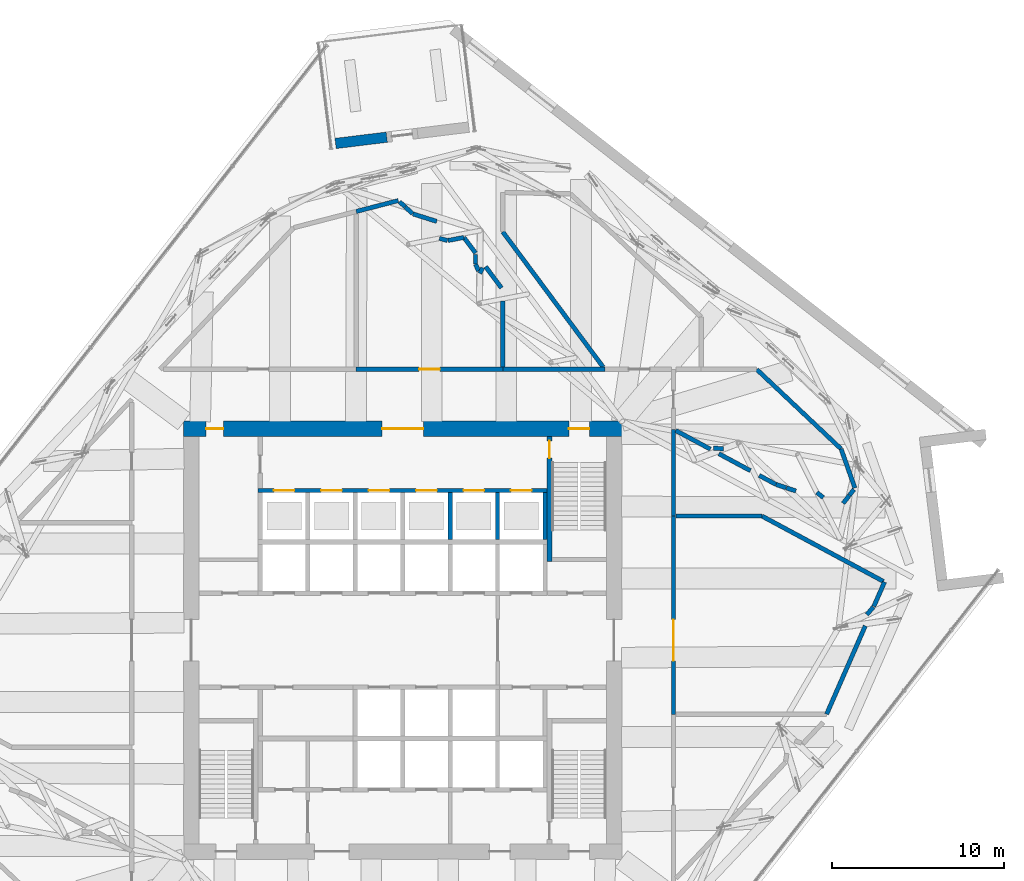
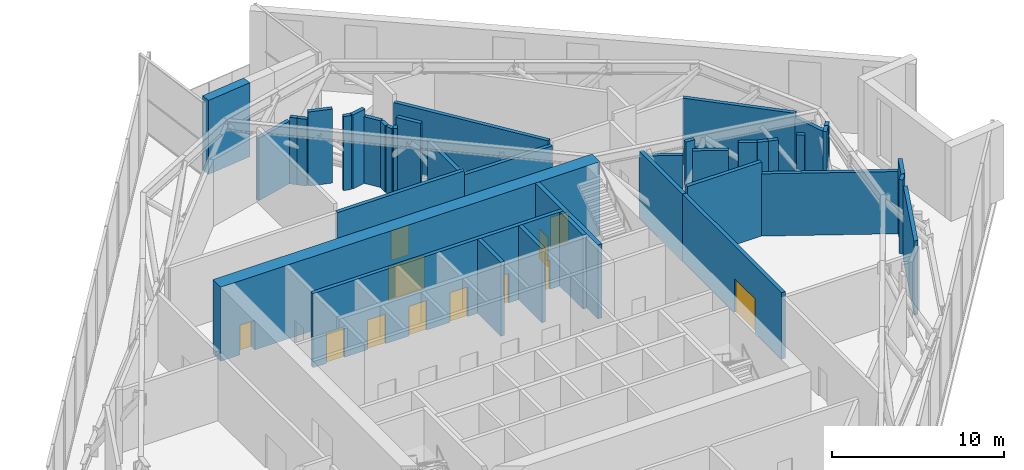
# One storey, part 15 of 23: 40 walls, 12 doors, 12 openings.
"""IFC4 building model written with IfcOpenShell, lengths in metres."""

from ifc_helpers import new_model, si_unit, direction, frame, frame_2d, origin, place, context, subcontext, project, spatial, rectangle, extrude, material, layer, layer_set, type_object, element, fill, save


model = new_model("IFC4")

# Units and contexts
model_context = context("Model", 3, precision=1e-05, world=origin(), true_north=direction((0.0, 1.0)))
body_context = subcontext(model_context, "Body", "Model", "MODEL_VIEW")
ifc_project = project(units=[si_unit("LENGTHUNIT", "METRE"), si_unit("AREAUNIT", "SQUARE_METRE"), si_unit("VOLUMEUNIT", "CUBIC_METRE"), si_unit("PLANEANGLEUNIT", "RADIAN"), si_unit("MASSUNIT", "GRAM", prefix="KILO")], contexts=[model_context])

# Site, building, storey
site_placement = place(None, origin())
site = spatial("IfcSite", under=ifc_project, at=site_placement, CompositionType="ELEMENT")
building_placement = place(site_placement, origin())
building = spatial("IfcBuilding", under=site, at=building_placement, Name="Dilmun Exchange Tower", CompositionType="ELEMENT")
storey_placement = place(building_placement, frame((0.0, 0.0, 237.300048828125)))
storey = spatial("IfcBuildingStorey", under=building, at=storey_placement, Name="L56", CompositionType="ELEMENT", Elevation=237.300048828125)

# Wall, openings, doors
ifc_material_1 = material(Name="Concrete C60/75", Category="concrete")
ifc_layer_1 = layer(ifc_material_1, 0.89990234375)
ifc_layer_set_1 = layer_set([ifc_layer_1], Name="Concrete C60/75")
wall_type_1 = type_object("IfcWallType", Name="Core shear wall 900 Concrete C60/75", PredefinedType="SHEAR", material=ifc_layer_set_1)
wall_1_placement = place(storey_placement, frame((-12.699951171875, 12.25, 0.0), z_axis=(0.0, 0.0, 1.0), x_axis=(1.0, 0.0, 0.0)))
wall_1 = element("IfcWall", 1, at=wall_1_placement, inside=storey, type_object=wall_type_1, Name="L56 core shear wall N", PredefinedType="SHEAR", context=body_context, shape_type="SweptSolid", body=[
    extrude(rectangle(XDim=25.39990234375, YDim=0.89990234375, at=frame_2d((12.699951171875, 0.0))), origin(), (0.0, 0.0, 1.0), 5.239990234375),
])
opening_1_placement = place(wall_1_placement, frame((11.5, 0.0, 0.0)))
opening_1 = element("IfcOpeningElement", 2, at=opening_1_placement, cuts=wall_1, Name="Opening CD1", PredefinedType="OPENING", context=body_context, shape_type="SweptSolid", body=[
    extrude(rectangle(XDim=2.39990234375, YDim=2.39990234375, at=frame_2d((1.199951171875, 1.199951171875))), frame((0.0, 0.4599609375, 0.0), z_axis=(0.0, -1.0, 0.0), x_axis=(1.0, 0.0, 0.0)), (0.0, 0.0, 1.0), 0.919921875),
])
opening_2_placement = place(wall_1_placement, frame((22.324951171875, 0.0, 0.0)))
opening_2 = element("IfcOpeningElement", 3, at=opening_2_placement, cuts=wall_1, Name="Opening CD3", PredefinedType="OPENING", context=body_context, shape_type="SweptSolid", body=[
    extrude(rectangle(XDim=1.199951171875, YDim=2.10009765625, at=frame_2d((0.60009765625, 1.050048828125))), frame((0.0, 0.4599609375, 0.0), z_axis=(0.0, -1.0, 0.0), x_axis=(1.0, 0.0, 0.0)), (0.0, 0.0, 1.0), 0.919921875),
])
opening_3_placement = place(wall_1_placement, frame((1.300048828125, 0.0, 0.0)))
opening_3 = element("IfcOpeningElement", 4, at=opening_3_placement, cuts=wall_1, Name="Opening CD4", PredefinedType="OPENING", context=body_context, shape_type="SweptSolid", body=[
    extrude(rectangle(XDim=1.0, YDim=2.10009765625, at=frame_2d((0.5, 1.050048828125))), frame((0.0, 0.4599609375, 0.0), z_axis=(0.0, -1.0, 0.0), x_axis=(1.0, 0.0, 0.0)), (0.0, 0.0, 1.0), 0.919921875),
])
ifc_material_2 = material(Name="Fire-rated steel door set", Category="steel")
door_type_1 = type_object("IfcDoorType", Name="Core lobby door 2400x2400", OperationType="DOUBLE_DOOR_DOUBLE_SWING", PredefinedType="DOOR", material=ifc_material_2)
door_1_placement = place(opening_1_placement, origin())
door_1 = element("IfcDoor", 5, at=door_1_placement, inside=storey, type_object=door_type_1, Name="L56 door North lift lobby", OperationType="SINGLE_SWING_LEFT", OverallHeight=2.39990234375, OverallWidth=2.39990234375, PredefinedType="DOOR", context=body_context, shape_type="SweptSolid", body=[
    extrude(rectangle(XDim=2.39990234375, YDim=2.39990234375, at=frame_2d((1.199951171875, 1.199951171875))), frame((0.0, 0.02490234375, 0.0), z_axis=(0.0, -1.0, 0.0), x_axis=(1.0, 0.0, 0.0)), (0.0, 0.0, 1.0), 0.050048828125),
])
fill(opening_1, door_1)
door_type_2 = type_object("IfcDoorType", Name="Core room door 1000x2100", OperationType="SINGLE_SWING_LEFT", PredefinedType="DOOR", material=ifc_material_2)
door_2_placement = place(opening_3_placement, origin())
door_2 = element("IfcDoor", 6, at=door_2_placement, inside=storey, type_object=door_type_2, Name="L56 door North-west core rooms", OperationType="SINGLE_SWING_LEFT", OverallHeight=2.10009765625, OverallWidth=1.0, PredefinedType="DOOR", context=body_context, shape_type="SweptSolid", body=[
    extrude(rectangle(XDim=1.0, YDim=2.10009765625, at=frame_2d((0.5, 1.050048828125))), frame((0.0, 0.02490234375, 0.0), z_axis=(0.0, -1.0, 0.0), x_axis=(1.0, 0.0, 0.0)), (0.0, 0.0, 1.0), 0.050048828125),
])
fill(opening_3, door_2)
door_type_3 = type_object("IfcDoorType", Name="Stair exit door 1200x2100", OperationType="SINGLE_SWING_LEFT", PredefinedType="DOOR", material=ifc_material_2)
door_3_placement = place(opening_2_placement, origin())
door_3 = element("IfcDoor", 7, at=door_3_placement, inside=storey, type_object=door_type_3, Name="L56 door Stair ST1", OperationType="SINGLE_SWING_LEFT", OverallHeight=2.10009765625, OverallWidth=1.199951171875, PredefinedType="DOOR", context=body_context, shape_type="SweptSolid", body=[
    extrude(rectangle(XDim=1.199951171875, YDim=2.10009765625, at=frame_2d((0.60009765625, 1.050048828125))), frame((0.0, 0.02490234375, 0.0), z_axis=(0.0, -1.0, 0.0), x_axis=(1.0, 0.0, 0.0)), (0.0, 0.0, 1.0), 0.050048828125),
])
fill(opening_2, door_3)

ifc_material_3 = material(Name="Concrete C40/50", Category="concrete")
ifc_layer_2 = layer(ifc_material_3, 0.25)
ifc_layer_set_2 = layer_set([ifc_layer_2], Name="Concrete C40/50")
wall_type_2 = type_object("IfcWallType", Name="Lift shaft wall 250", PredefinedType="SOLIDWALL", material=ifc_layer_set_2)
wall_2_placement = place(storey_placement, frame((-8.375, 8.675048828125, 0.0), z_axis=(0.0, 0.0, 1.0), x_axis=(1.0, 0.0, 0.0)))
wall_2 = element("IfcWall", 8, at=wall_2_placement, inside=storey, type_object=wall_type_2, Name="L56 lift shaft front wall N2", PredefinedType="SOLIDWALL", context=body_context, shape_type="SweptSolid", body=[
    extrude(rectangle(XDim=16.75, YDim=0.25, at=frame_2d((8.375, 0.0))), origin(), (0.0, 0.0, 1.0), 5.239990234375),
])
opening_4_placement = place(wall_2_placement, frame((0.89990234375, 0.0, 0.0)))
opening_4 = element("IfcOpeningElement", 9, at=opening_4_placement, cuts=wall_2, Name="Opening LD", PredefinedType="OPENING", context=body_context, shape_type="SweptSolid", body=[
    extrude(rectangle(XDim=1.199951171875, YDim=2.10009765625, at=frame_2d((0.60009765625, 1.050048828125))), frame((0.0, 0.135009765625, 0.0), z_axis=(0.0, -1.0, 0.0), x_axis=(1.0, 0.0, 0.0)), (0.0, 0.0, 1.0), 0.27001953125),
])
opening_5_placement = place(wall_2_placement, frame((3.64990234375, 0.0, 0.0)))
opening_5 = element("IfcOpeningElement", 10, at=opening_5_placement, cuts=wall_2, Name="Opening LD", PredefinedType="OPENING", context=body_context, shape_type="SweptSolid", body=[
    extrude(rectangle(XDim=1.199951171875, YDim=2.10009765625, at=frame_2d((0.60009765625, 1.050048828125))), frame((0.0, 0.135009765625, 0.0), z_axis=(0.0, -1.0, 0.0), x_axis=(1.0, 0.0, 0.0)), (0.0, 0.0, 1.0), 0.27001953125),
])
opening_6_placement = place(wall_2_placement, frame((6.39990234375, 0.0, 0.0)))
opening_6 = element("IfcOpeningElement", 11, at=opening_6_placement, cuts=wall_2, Name="Opening LD", PredefinedType="OPENING", context=body_context, shape_type="SweptSolid", body=[
    extrude(rectangle(XDim=1.199951171875, YDim=2.10009765625, at=frame_2d((0.60009765625, 1.050048828125))), frame((0.0, 0.135009765625, 0.0), z_axis=(0.0, -1.0, 0.0), x_axis=(1.0, 0.0, 0.0)), (0.0, 0.0, 1.0), 0.27001953125),
])
opening_7_placement = place(wall_2_placement, frame((9.14990234375, 0.0, 0.0)))
opening_7 = element("IfcOpeningElement", 12, at=opening_7_placement, cuts=wall_2, Name="Opening LD", PredefinedType="OPENING", context=body_context, shape_type="SweptSolid", body=[
    extrude(rectangle(XDim=1.199951171875, YDim=2.10009765625, at=frame_2d((0.60009765625, 1.050048828125))), frame((0.0, 0.135009765625, 0.0), z_axis=(0.0, -1.0, 0.0), x_axis=(1.0, 0.0, 0.0)), (0.0, 0.0, 1.0), 0.27001953125),
])
opening_8_placement = place(wall_2_placement, frame((11.89990234375, 0.0, 0.0)))
opening_8 = element("IfcOpeningElement", 13, at=opening_8_placement, cuts=wall_2, Name="Opening LD", PredefinedType="OPENING", context=body_context, shape_type="SweptSolid", body=[
    extrude(rectangle(XDim=1.199951171875, YDim=2.10009765625, at=frame_2d((0.60009765625, 1.050048828125))), frame((0.0, 0.135009765625, 0.0), z_axis=(0.0, -1.0, 0.0), x_axis=(1.0, 0.0, 0.0)), (0.0, 0.0, 1.0), 0.27001953125),
])
opening_9_placement = place(wall_2_placement, frame((14.64990234375, 0.0, 0.0)))
opening_9 = element("IfcOpeningElement", 14, at=opening_9_placement, cuts=wall_2, Name="Opening LD", PredefinedType="OPENING", context=body_context, shape_type="SweptSolid", body=[
    extrude(rectangle(XDim=1.199951171875, YDim=2.10009765625, at=frame_2d((0.60009765625, 1.050048828125))), frame((0.0, 0.135009765625, 0.0), z_axis=(0.0, -1.0, 0.0), x_axis=(1.0, 0.0, 0.0)), (0.0, 0.0, 1.0), 0.27001953125),
])
door_type_4 = type_object("IfcDoorType", Name="Lift landing door 1200x2100", OperationType="DOUBLE_DOOR_SLIDING", PredefinedType="DOOR", material=ifc_material_2)
door_4_placement = place(opening_4_placement, origin())
door_4 = element("IfcDoor", 15, at=door_4_placement, inside=storey, type_object=door_type_4, Name="L56 landing door HR1", OperationType="DOUBLE_DOOR_SLIDING", OverallHeight=2.10009765625, OverallWidth=1.199951171875, PredefinedType="DOOR", context=body_context, shape_type="SweptSolid", body=[
    extrude(rectangle(XDim=1.199951171875, YDim=2.10009765625, at=frame_2d((0.60009765625, 1.050048828125))), frame((0.0, 0.02490234375, 0.0), z_axis=(0.0, -1.0, 0.0), x_axis=(1.0, 0.0, 0.0)), (0.0, 0.0, 1.0), 0.050048828125),
])
fill(opening_4, door_4)
door_5_placement = place(opening_5_placement, origin())
door_5 = element("IfcDoor", 16, at=door_5_placement, inside=storey, type_object=door_type_4, Name="L56 landing door HR2", OperationType="DOUBLE_DOOR_SLIDING", OverallHeight=2.10009765625, OverallWidth=1.199951171875, PredefinedType="DOOR", context=body_context, shape_type="SweptSolid", body=[
    extrude(rectangle(XDim=1.199951171875, YDim=2.10009765625, at=frame_2d((0.60009765625, 1.050048828125))), frame((0.0, 0.02490234375, 0.0), z_axis=(0.0, -1.0, 0.0), x_axis=(1.0, 0.0, 0.0)), (0.0, 0.0, 1.0), 0.050048828125),
])
fill(opening_5, door_5)
door_6_placement = place(opening_6_placement, origin())
door_6 = element("IfcDoor", 17, at=door_6_placement, inside=storey, type_object=door_type_4, Name="L56 landing door HR3", OperationType="DOUBLE_DOOR_SLIDING", OverallHeight=2.10009765625, OverallWidth=1.199951171875, PredefinedType="DOOR", context=body_context, shape_type="SweptSolid", body=[
    extrude(rectangle(XDim=1.199951171875, YDim=2.10009765625, at=frame_2d((0.60009765625, 1.050048828125))), frame((0.0, 0.02490234375, 0.0), z_axis=(0.0, -1.0, 0.0), x_axis=(1.0, 0.0, 0.0)), (0.0, 0.0, 1.0), 0.050048828125),
])
fill(opening_6, door_6)
door_7_placement = place(opening_7_placement, origin())
door_7 = element("IfcDoor", 18, at=door_7_placement, inside=storey, type_object=door_type_4, Name="L56 landing door HR4", OperationType="DOUBLE_DOOR_SLIDING", OverallHeight=2.10009765625, OverallWidth=1.199951171875, PredefinedType="DOOR", context=body_context, shape_type="SweptSolid", body=[
    extrude(rectangle(XDim=1.199951171875, YDim=2.10009765625, at=frame_2d((0.60009765625, 1.050048828125))), frame((0.0, 0.02490234375, 0.0), z_axis=(0.0, -1.0, 0.0), x_axis=(1.0, 0.0, 0.0)), (0.0, 0.0, 1.0), 0.050048828125),
])
fill(opening_7, door_7)
door_8_placement = place(opening_8_placement, origin())
door_8 = element("IfcDoor", 19, at=door_8_placement, inside=storey, type_object=door_type_4, Name="L56 landing door HR5", OperationType="DOUBLE_DOOR_SLIDING", OverallHeight=2.10009765625, OverallWidth=1.199951171875, PredefinedType="DOOR", context=body_context, shape_type="SweptSolid", body=[
    extrude(rectangle(XDim=1.199951171875, YDim=2.10009765625, at=frame_2d((0.60009765625, 1.050048828125))), frame((0.0, 0.02490234375, 0.0), z_axis=(0.0, -1.0, 0.0), x_axis=(1.0, 0.0, 0.0)), (0.0, 0.0, 1.0), 0.050048828125),
])
fill(opening_8, door_8)
door_9_placement = place(opening_9_placement, origin())
door_9 = element("IfcDoor", 20, at=door_9_placement, inside=storey, type_object=door_type_4, Name="L56 landing door HR6", OperationType="DOUBLE_DOOR_SLIDING", OverallHeight=2.10009765625, OverallWidth=1.199951171875, PredefinedType="DOOR", context=body_context, shape_type="SweptSolid", body=[
    extrude(rectangle(XDim=1.199951171875, YDim=2.10009765625, at=frame_2d((0.60009765625, 1.050048828125))), frame((0.0, 0.02490234375, 0.0), z_axis=(0.0, -1.0, 0.0), x_axis=(1.0, 0.0, 0.0)), (0.0, 0.0, 1.0), 0.050048828125),
])
fill(opening_9, door_9)

# Walls
for number, where, z_axis, x_axis, name in (
    (21, (2.75, 5.85009765625, 0.0), (0.0, 0.0, 1.0), (0.0, 1.0, 0.0), "L56 lift shaft divider N24"),
    (22, (5.5, 5.85009765625, 0.0), (0.0, 0.0, 1.0), (0.0, 1.0, 0.0), "L56 lift shaft divider N25"),
    (23, (8.25, 5.85009765625, 0.0), (0.0, 0.0, 1.0), (0.0, 1.0, 0.0), "L56 lift shaft divider N26"),
):
    element("IfcWall", number, at=place(storey_placement, frame(where, z_axis=z_axis, x_axis=x_axis)), inside=storey, type_object=wall_type_2, Name=name, PredefinedType="SOLIDWALL", context=body_context, shape_type="SweptSolid", body=[
        extrude(rectangle(XDim=2.699951171875, YDim=0.25, at=frame_2d((1.35009765625, 0.0))), origin(), (0.0, 0.0, 1.0), 5.239990234375),
    ])

# Wall, opening, door
ifc_material_4 = material(Name="Concrete C32/40", Category="concrete")
ifc_layer_3 = layer(ifc_material_4, 0.25)
ifc_layer_set_3 = layer_set([ifc_layer_3], Name="Concrete C32/40")
wall_type_3 = type_object("IfcWallType", Name="Plant room wall 250", PredefinedType="PARTITIONING", material=ifc_layer_set_3)
wall_3_placement = place(storey_placement, frame((15.699951171875, -4.294921875, 0.0), z_axis=(0.0, 0.0, 1.0), x_axis=(0.0, 1.0, 0.0)))
wall_3 = element("IfcWall", 24, at=wall_3_placement, inside=storey, type_object=wall_type_3, Name="L56 plant room wall 46", PredefinedType="PARTITIONING", context=body_context, shape_type="SweptSolid", body=[
    extrude(rectangle(XDim=11.494873046875, YDim=0.25, at=frame_2d((5.74755859375, 0.0))), origin(), (0.0, 0.0, 1.0), 4.719970703125),
])
opening_10_placement = place(wall_3_placement, frame((3.094970703125, 0.0, 0.0)))
opening_10 = element("IfcOpeningElement", 25, at=opening_10_placement, cuts=wall_3, Name="Opening PD4", PredefinedType="OPENING", context=body_context, shape_type="SweptSolid", body=[
    extrude(rectangle(XDim=2.39990234375, YDim=2.39990234375, at=frame_2d((1.199951171875, 1.199951171875))), frame((0.0, 0.135009765625, 0.0), z_axis=(0.0, -1.0, 0.0), x_axis=(1.0, 0.0, 0.0)), (0.0, 0.0, 1.0), 0.27001953125),
])
door_type_5 = type_object("IfcDoorType", Name="Sky lobby door 2400x2400", OperationType="DOUBLE_DOOR_DOUBLE_SWING", PredefinedType="DOOR", material=ifc_material_2)
door_10_placement = place(opening_10_placement, origin())
door_10 = element("IfcDoor", 26, at=door_10_placement, inside=storey, type_object=door_type_5, Name="L56 door Sky lobby", OperationType="SINGLE_SWING_LEFT", OverallHeight=2.39990234375, OverallWidth=2.39990234375, PredefinedType="DOOR", context=body_context, shape_type="SweptSolid", body=[
    extrude(rectangle(XDim=2.39990234375, YDim=2.39990234375, at=frame_2d((1.199951171875, 1.199951171875))), frame((0.0, 0.02490234375, 0.0), z_axis=(0.0, -1.0, 0.0), x_axis=(1.0, 0.0, 0.0)), (0.0, 0.0, 1.0), 0.050048828125),
])
fill(opening_10, door_10)

# Walls
wall_4_placement = place(storey_placement, frame((24.57373046875, -4.28857421875, 0.0), z_axis=(0.0, 0.0, 1.0), x_axis=(0.401222280586, 0.915980721173, 0.0)))
element("IfcWall", 27, at=wall_4_placement, inside=storey, type_object=wall_type_3, Name="L56 plant room wall 51", PredefinedType="PARTITIONING", context=body_context, shape_type="SweptSolid", body=[
    extrude(rectangle(XDim=5.586669921875, YDim=0.25, at=frame_2d((2.79345703125, 0.0))), origin(), (0.0, 0.0, 1.0), 5.239990234375),
])
wall_5_placement = place(storey_placement, frame((26.906982421875, 1.48193359375, 0.0), z_axis=(0.0, 0.0, 1.0), x_axis=(0.647014435149, 0.76247775096, 0.0)))
element("IfcWall", 28, at=wall_5_placement, inside=storey, type_object=wall_type_3, Name="L56 plant room wall 52", PredefinedType="PARTITIONING", context=body_context, shape_type="SweptSolid", body=[
    extrude(rectangle(XDim=0.58154296875, YDim=0.25, at=frame_2d((0.290771484375, 0.0))), origin(), (0.0, 0.0, 1.0), 5.239990234375),
])
wall_6_placement = place(storey_placement, frame((27.30908203125, 1.95556640625, 0.0), z_axis=(0.0, 0.0, 1.0), x_axis=(0.401091430505, 0.916038025617, 0.0)))
element("IfcWall", 29, at=wall_6_placement, inside=storey, type_object=wall_type_3, Name="L56 plant room wall 53", PredefinedType="PARTITIONING", context=body_context, shape_type="SweptSolid", body=[
    extrude(rectangle(XDim=1.55029296875, YDim=0.25, at=frame_2d((0.775146484375, 0.0))), origin(), (0.0, 0.0, 1.0), 5.239990234375),
])
wall_7_placement = place(storey_placement, frame((15.699951171875, 7.205078125, 0.0), z_axis=(0.0, 0.0, 1.0), x_axis=(0.0, 1.0, 0.0)))
element("IfcWall", 30, at=wall_7_placement, inside=storey, type_object=wall_type_3, Name="L56 plant room wall 59", PredefinedType="PARTITIONING", context=body_context, shape_type="SweptSolid", body=[
    extrude(rectangle(XDim=5.017333984375, YDim=0.25, at=frame_2d((2.5087890625, 0.0))), origin(), (0.0, 0.0, 1.0), 4.719970703125),
])
wall_8_placement = place(storey_placement, frame((15.830078125, 7.199951171875, 0.0), z_axis=(0.0, 0.0, 1.0), x_axis=(1.0, 0.0, 0.0)))
element("IfcWall", 31, at=wall_8_placement, inside=storey, type_object=wall_type_3, Name="L56 plant room wall 60", PredefinedType="PARTITIONING", context=body_context, shape_type="SweptSolid", body=[
    extrude(rectangle(XDim=4.988037109375, YDim=0.25, at=frame_2d((2.494140625, 0.0))), origin(), (0.0, 0.0, 1.0), 5.239990234375),
])
wall_9_placement = place(storey_placement, frame((20.822998046875, 7.197265625, 0.0), z_axis=(0.0, 0.0, 1.0), x_axis=(0.880765589634, -0.473552506188, 0.0)))
element("IfcWall", 32, at=wall_9_placement, inside=storey, type_object=wall_type_3, Name="L56 plant room wall 61", PredefinedType="PARTITIONING", context=body_context, shape_type="SweptSolid", body=[
    extrude(rectangle(XDim=8.008056640625, YDim=0.25, at=frame_2d((4.00390625, 0.0))), origin(), (0.0, 0.0, 1.0), 4.406005859375),
])
wall_10_placement = place(storey_placement, frame((24.006103515625, 8.566650390625, 0.0), z_axis=(0.0, 0.0, 1.0), x_axis=(0.783912744573, -0.620871008258, 0.0)))
element("IfcWall", 33, at=wall_10_placement, inside=storey, type_object=wall_type_3, Name="L56 plant room wall 62", PredefinedType="PARTITIONING", context=body_context, shape_type="SweptSolid", body=[
    extrude(rectangle(XDim=0.483642578125, YDim=0.25, at=frame_2d((0.24169921875, 0.0))), origin(), (0.0, 0.0, 1.0), 5.239990234375),
])
wall_11_placement = place(storey_placement, frame((25.533203125, 7.933349609375, 0.0), z_axis=(0.0, 0.0, 1.0), x_axis=(0.612689720082, 0.790323545712, 0.0)))
element("IfcWall", 34, at=wall_11_placement, inside=storey, type_object=wall_type_3, Name="L56 plant room wall 63", PredefinedType="PARTITIONING", context=body_context, shape_type="SweptSolid", body=[
    extrude(rectangle(XDim=0.581298828125, YDim=0.25, at=frame_2d((0.29052734375, 0.0))), origin(), (0.0, 0.0, 1.0), 5.239990234375),
])
wall_12_placement = place(storey_placement, frame((22.2421875, 8.83056640625, 0.0), z_axis=(0.0, 0.0, 1.0), x_axis=(0.949269442188, -0.314463870942, 0.0)))
element("IfcWall", 35, at=wall_12_placement, inside=storey, type_object=wall_type_3, Name="L56 plant room wall 64", PredefinedType="PARTITIONING", context=body_context, shape_type="SweptSolid", body=[
    extrude(rectangle(XDim=0.58154296875, YDim=0.25, at=frame_2d((0.290771484375, 0.0))), origin(), (0.0, 0.0, 1.0), 5.239990234375),
])
wall_13_placement = place(storey_placement, frame((25.897705078125, 8.40380859375, 0.0), z_axis=(0.0, 0.0, 1.0), x_axis=(0.612734781525, 0.790288610262, 0.0)))
element("IfcWall", 36, at=wall_13_placement, inside=storey, type_object=wall_type_3, Name="L56 plant room wall 65", PredefinedType="PARTITIONING", context=body_context, shape_type="SweptSolid", body=[
    extrude(rectangle(XDim=0.420654296875, YDim=0.25, at=frame_2d((0.21044921875, 0.0))), origin(), (0.0, 0.0, 1.0), 5.239990234375),
])
wall_14_placement = place(storey_placement, frame((21.634033203125, 9.031982421875, 0.0), z_axis=(0.0, 0.0, 1.0), x_axis=(0.949265485475, -0.314475814786, 0.0)))
element("IfcWall", 37, at=wall_14_placement, inside=storey, type_object=wall_type_3, Name="L56 plant room wall 66", PredefinedType="PARTITIONING", context=body_context, shape_type="SweptSolid", body=[
    extrude(rectangle(XDim=0.627197265625, YDim=0.25, at=frame_2d((0.3134765625, 0.0))), origin(), (0.0, 0.0, 1.0), 5.239990234375),
])
wall_15_placement = place(storey_placement, frame((20.664794921875, 9.552978515625, 0.0), z_axis=(0.0, 0.0, 1.0), x_axis=(0.880842985879, -0.473408527836, 0.0)))
element("IfcWall", 38, at=wall_15_placement, inside=storey, type_object=wall_type_3, Name="L56 plant room wall 67", PredefinedType="PARTITIONING", context=body_context, shape_type="SweptSolid", body=[
    extrude(rectangle(XDim=1.095458984375, YDim=0.25, at=frame_2d((0.5478515625, 0.0))), origin(), (0.0, 0.0, 1.0), 5.239990234375),
])
wall_16_placement = place(storey_placement, frame((18.32958984375, 10.80859375, 0.0), z_axis=(0.0, 0.0, 1.0), x_axis=(0.880780830304, -0.473524158802, 0.0)))
element("IfcWall", 39, at=wall_16_placement, inside=storey, type_object=wall_type_3, Name="L56 plant room wall 68", PredefinedType="PARTITIONING", context=body_context, shape_type="SweptSolid", body=[
    extrude(rectangle(XDim=2.07421875, YDim=0.25, at=frame_2d((1.037109375, 0.0))), origin(), (0.0, 0.0, 1.0), 4.719970703125),
])
wall_17_placement = place(storey_placement, frame((15.830078125, 12.152587890625, 0.0), z_axis=(0.0, 0.0, 1.0), x_axis=(0.880763949792, -0.473555556135, 0.0)))
element("IfcWall", 40, at=wall_17_placement, inside=storey, type_object=wall_type_3, Name="L56 plant room wall 69", PredefinedType="PARTITIONING", context=body_context, shape_type="SweptSolid", body=[
    extrude(rectangle(XDim=2.274169921875, YDim=0.25, at=frame_2d((1.13720703125, 0.0))), origin(), (0.0, 0.0, 1.0), 4.419921875),
])
wall_18_placement = place(storey_placement, frame((25.412841796875, 11.08837890625, 0.0), z_axis=(0.0, 0.0, 1.0), x_axis=(0.333527224154, -0.942740468394, 0.0)))
element("IfcWall", 41, at=wall_18_placement, inside=storey, type_object=wall_type_3, Name="L56 plant room wall 70", PredefinedType="PARTITIONING", context=body_context, shape_type="SweptSolid", body=[
    extrude(rectangle(XDim=2.401611328125, YDim=0.25, at=frame_2d((1.20068359375, 0.0))), origin(), (0.0, 0.0, 1.0), 4.419921875),
])
wall_19_placement = place(storey_placement, frame((18.013427734375, 11.13720703125, 0.0), z_axis=(0.0, 0.0, 1.0), x_axis=(0.997234429152, -0.074320207983, 0.0)))
element("IfcWall", 42, at=wall_19_placement, inside=storey, type_object=wall_type_3, Name="L56 plant room wall 71", PredefinedType="PARTITIONING", context=body_context, shape_type="SweptSolid", body=[
    extrude(rectangle(XDim=0.58154296875, YDim=0.25, at=frame_2d((0.290771484375, 0.0))), origin(), (0.0, 0.0, 1.0), 5.239990234375),
])

# Wall, opening, door
wall_20_placement = place(storey_placement, frame((-2.695068359375, 15.699951171875, 0.0), z_axis=(0.0, 0.0, 1.0), x_axis=(1.0, 0.0, 0.0)))
wall_20 = element("IfcWall", 43, at=wall_20_placement, inside=storey, type_object=wall_type_3, Name="L56 plant room wall 76", PredefinedType="PARTITIONING", context=body_context, shape_type="SweptSolid", body=[
    extrude(rectangle(XDim=8.4951171875, YDim=0.25, at=frame_2d((4.24755859375, 0.0))), origin(), (0.0, 0.0, 1.0), 4.719970703125),
])
opening_11_placement = place(wall_20_placement, frame((3.64501953125, 0.0, 0.0)))
opening_11 = element("IfcOpeningElement", 44, at=opening_11_placement, cuts=wall_20, Name="Opening PD2", PredefinedType="OPENING", context=body_context, shape_type="SweptSolid", body=[
    extrude(rectangle(XDim=1.199951171875, YDim=2.10009765625, at=frame_2d((0.60009765625, 1.050048828125))), frame((0.0, 0.135009765625, 0.0), z_axis=(0.0, -1.0, 0.0), x_axis=(1.0, 0.0, 0.0)), (0.0, 0.0, 1.0), 0.27001953125),
])
door_type_6 = type_object("IfcDoorType", Name="Plant room door 1200x2100", OperationType="SINGLE_SWING_LEFT", PredefinedType="DOOR", material=ifc_material_2)
door_11_placement = place(opening_11_placement, origin())
door_11 = element("IfcDoor", 45, at=door_11_placement, inside=storey, type_object=door_type_6, Name="L56 door Transformer room", OperationType="SINGLE_SWING_LEFT", OverallHeight=2.10009765625, OverallWidth=1.199951171875, PredefinedType="DOOR", context=body_context, shape_type="SweptSolid", body=[
    extrude(rectangle(XDim=1.199951171875, YDim=2.10009765625, at=frame_2d((0.60009765625, 1.050048828125))), frame((0.0, 0.02490234375, 0.0), z_axis=(0.0, -1.0, 0.0), x_axis=(1.0, 0.0, 0.0)), (0.0, 0.0, 1.0), 0.050048828125),
])
fill(opening_11, door_11)

# Walls
wall_21_placement = place(storey_placement, frame((5.804931640625, 15.699951171875, 0.0), z_axis=(0.0, 0.0, 1.0), x_axis=(1.0, 0.0, 0.0)))
element("IfcWall", 46, at=wall_21_placement, inside=storey, type_object=wall_type_3, Name="L56 plant room wall 77", PredefinedType="PARTITIONING", context=body_context, shape_type="SweptSolid", body=[
    extrude(rectangle(XDim=5.91357421875, YDim=0.25, at=frame_2d((2.956787109375, 0.0))), origin(), (0.0, 0.0, 1.0), 4.419921875),
])
wall_22_placement = place(storey_placement, frame((5.800048828125, 23.672607421875, 0.0), z_axis=(0.0, 0.0, 1.0), x_axis=(0.5960533643, -0.802944821832, 0.0)))
element("IfcWall", 47, at=wall_22_placement, inside=storey, type_object=wall_type_3, Name="L56 plant room wall 78", PredefinedType="PARTITIONING", context=body_context, shape_type="SweptSolid", body=[
    extrude(rectangle(XDim=9.76708984375, YDim=0.25, at=frame_2d((4.883544921875, 0.0))), origin(), (0.0, 0.0, 1.0), 4.719970703125),
])
wall_23_placement = place(storey_placement, frame((20.525390625, 15.6953125, 0.0), z_axis=(0.0, 0.0, 1.0), x_axis=(0.727680712337, -0.685916015918, 0.0)))
element("IfcWall", 48, at=wall_23_placement, inside=storey, type_object=wall_type_3, Name="L56 plant room wall 82", PredefinedType="PARTITIONING", context=body_context, shape_type="SweptSolid", body=[
    extrude(rectangle(XDim=6.710693359375, YDim=0.25, at=frame_2d((3.35546875, 0.0))), origin(), (0.0, 0.0, 1.0), 4.719970703125),
])
wall_24_placement = place(storey_placement, frame((5.800048828125, 15.830078125, 0.0), z_axis=(0.0, 0.0, 1.0), x_axis=(0.0, 1.0, 0.0)))
element("IfcWall", 49, at=wall_24_placement, inside=storey, type_object=wall_type_3, Name="L56 plant room wall 84", PredefinedType="PARTITIONING", context=body_context, shape_type="SweptSolid", body=[
    extrude(rectangle(XDim=3.820556640625, YDim=0.25, at=frame_2d((1.91015625, 0.0))), origin(), (0.0, 0.0, 1.0), 4.419921875),
])
wall_25_placement = place(storey_placement, frame((4.476318359375, 21.26171875, 0.0), z_axis=(0.0, 0.0, 1.0), x_axis=(0.432927443795, 0.901428770569, 0.0)))
element("IfcWall", 50, at=wall_25_placement, inside=storey, type_object=wall_type_3, Name="L56 plant room wall 85", PredefinedType="PARTITIONING", context=body_context, shape_type="SweptSolid", body=[
    extrude(rectangle(XDim=0.36376953125, YDim=0.25, at=frame_2d((0.181884765625, 0.0))), origin(), (0.0, 0.0, 1.0), 4.719970703125),
])
wall_26_placement = place(storey_placement, frame((4.808349609375, 21.653076171875, 0.0), z_axis=(0.0, 0.0, 1.0), x_axis=(0.59601596121, -0.802972586072, 0.0)))
element("IfcWall", 51, at=wall_26_placement, inside=storey, type_object=wall_type_3, Name="L56 plant room wall 86", PredefinedType="PARTITIONING", context=body_context, shape_type="SweptSolid", body=[
    extrude(rectangle(XDim=1.532470703125, YDim=0.25, at=frame_2d((0.76611328125, 0.0))), origin(), (0.0, 0.0, 1.0), 5.239990234375),
])
wall_27_placement = place(storey_placement, frame((4.224609375, 21.790283203125, 0.0), z_axis=(0.0, 0.0, 1.0), x_axis=(0.412201910165, -0.911092522885, 0.0)))
element("IfcWall", 52, at=wall_27_placement, inside=storey, type_object=wall_type_3, Name="L56 plant room wall 87", PredefinedType="PARTITIONING", context=body_context, shape_type="SweptSolid", body=[
    extrude(rectangle(XDim=0.42529296875, YDim=0.25, at=frame_2d((0.212646484375, 0.0))), origin(), (0.0, 0.0, 1.0), 4.719970703125),
])
wall_28_placement = place(storey_placement, frame((4.218505859375, 21.819091796875, 0.0), z_axis=(0.0, 0.0, 1.0), x_axis=(0.011115364856, 0.999938222424, 0.0)))
element("IfcWall", 53, at=wall_28_placement, inside=storey, type_object=wall_type_3, Name="L56 plant room wall 88", PredefinedType="PARTITIONING", context=body_context, shape_type="SweptSolid", body=[
    extrude(rectangle(XDim=0.549072265625, YDim=0.25, at=frame_2d((0.2744140625, 0.0))), origin(), (0.0, 0.0, 1.0), 4.719970703125),
])
wall_29_placement = place(storey_placement, frame((2.6220703125, 23.172119140625, 0.0), z_axis=(0.0, 0.0, 1.0), x_axis=(0.982424451701, 0.186660645823, 0.0)))
element("IfcWall", 54, at=wall_29_placement, inside=storey, type_object=wall_type_3, Name="L56 plant room wall 89", PredefinedType="PARTITIONING", context=body_context, shape_type="SweptSolid", body=[
    extrude(rectangle(XDim=0.9443359375, YDim=0.25, at=frame_2d((0.47216796875, 0.0))), origin(), (0.0, 0.0, 1.0), 5.239990234375),
])
wall_30_placement = place(storey_placement, frame((2.1240234375, 23.291748046875, 0.0), z_axis=(0.0, 0.0, 1.0), x_axis=(0.969335780914, -0.24573999235, 0.0)))
element("IfcWall", 55, at=wall_30_placement, inside=storey, type_object=wall_type_3, Name="L56 plant room wall 90", PredefinedType="PARTITIONING", context=body_context, shape_type="SweptSolid", body=[
    extrude(rectangle(XDim=0.48388671875, YDim=0.25, at=frame_2d((0.241943359375, 0.0))), origin(), (0.0, 0.0, 1.0), 5.239990234375),
])
wall_31_placement = place(storey_placement, frame((3.556640625, 23.339111328125, 0.0), z_axis=(0.0, 0.0, 1.0), x_axis=(0.596106410755, -0.802905440918, 0.0)))
element("IfcWall", 56, at=wall_31_placement, inside=storey, type_object=wall_type_3, Name="L56 plant room wall 91", PredefinedType="PARTITIONING", context=body_context, shape_type="SweptSolid", body=[
    extrude(rectangle(XDim=1.11572265625, YDim=0.25, at=frame_2d((0.557861328125, 0.0))), origin(), (0.0, 0.0, 1.0), 4.719970703125),
])
wall_32_placement = place(storey_placement, frame((0.594482421875, 24.71240234375, 0.0), z_axis=(0.0, 0.0, 1.0), x_axis=(0.953505954531, -0.301374177186, 0.0)))
element("IfcWall", 57, at=wall_32_placement, inside=storey, type_object=wall_type_3, Name="L56 plant room wall 94", PredefinedType="PARTITIONING", context=body_context, shape_type="SweptSolid", body=[
    extrude(rectangle(XDim=1.443603515625, YDim=0.25, at=frame_2d((0.7216796875, 0.0))), origin(), (0.0, 0.0, 1.0), 5.239990234375),
])
wall_33_placement = place(storey_placement, frame((-2.6953125, 24.852783203125, 0.0), z_axis=(0.0, 0.0, 1.0), x_axis=(0.968002130476, 0.250941976149, 0.0)))
element("IfcWall", 58, at=wall_33_placement, inside=storey, type_object=wall_type_3, Name="L56 plant room wall 96", PredefinedType="PARTITIONING", context=body_context, shape_type="SweptSolid", body=[
    extrude(rectangle(XDim=2.518798828125, YDim=0.25, at=frame_2d((1.25927734375, 0.0))), origin(), (0.0, 0.0, 1.0), 4.419921875),
])
wall_34_placement = place(storey_placement, frame((0.140625, 25.1201171875, 0.0), z_axis=(0.0, 0.0, 1.0), x_axis=(0.736892649159, -0.67600978071, 0.0)))
element("IfcWall", 59, at=wall_34_placement, inside=storey, type_object=wall_type_3, Name="L56 plant room wall 97", PredefinedType="PARTITIONING", context=body_context, shape_type="SweptSolid", body=[
    extrude(rectangle(XDim=0.58154296875, YDim=0.25, at=frame_2d((0.290771484375, 0.0))), origin(), (0.0, 0.0, 1.0), 4.719970703125),
])
wall_35_placement = place(storey_placement, frame((-0.183837890625, 25.41796875, 0.0), z_axis=(0.0, 0.0, 1.0), x_axis=(0.736774109701, -0.676138973344, 0.0)))
element("IfcWall", 60, at=wall_35_placement, inside=storey, type_object=wall_type_3, Name="L56 plant room wall 98", PredefinedType="PARTITIONING", context=body_context, shape_type="SweptSolid", body=[
    extrude(rectangle(XDim=0.4267578125, YDim=0.25, at=frame_2d((0.21337890625, 0.0))), origin(), (0.0, 0.0, 1.0), 4.719970703125),
])
ifc_material_5 = material(Name="Precast concrete C50/60", Category="concrete")
ifc_layer_4 = layer(ifc_material_5, 0.60009765625)
ifc_layer_set_4 = layer_set([ifc_layer_4], Name="Precast concrete C50/60")
wall_type_4 = type_object("IfcWallType", Name="Precast stone-clad wall 600", PredefinedType="STANDARD", material=ifc_layer_set_4)
wall_36_placement = place(storey_placement, frame((-0.925048828125, 29.159912109375, 0.0), z_axis=(0.0, 0.0, 1.0), x_axis=(-0.992546922089, -0.121863068446, 0.0)))
element("IfcWall", 61, at=wall_36_placement, inside=storey, type_object=wall_type_4, Name="Facade wall L56-01-2B", PredefinedType="STANDARD", context=body_context, shape_type="SweptSolid", body=[
    extrude(rectangle(XDim=2.989013671875, YDim=0.60009765625, at=frame_2d((1.49462890625, 0.0))), origin(), (0.0, 0.0, 1.0), 5.239990234375),
])

# Wall, opening, door
ifc_layer_5 = layer(ifc_material_3, 0.27490234375)
ifc_layer_set_5 = layer_set([ifc_layer_5], Name="Concrete C40/50")
wall_type_5 = type_object("IfcWallType", Name="Stair wall 275", PredefinedType="SOLIDWALL", material=ifc_layer_set_5)
wall_37_placement = place(storey_placement, frame((8.512451171875, 4.550048828125, 0.0), z_axis=(0.0, 0.0, 1.0), x_axis=(0.0, 1.0, 0.0)))
wall_37 = element("IfcWall", 62, at=wall_37_placement, inside=storey, type_object=wall_type_5, Name="L56 ST1 wall to lift block", PredefinedType="SOLIDWALL", context=body_context, shape_type="SweptSolid", body=[
    extrude(rectangle(XDim=7.25, YDim=0.27490234375, at=frame_2d((3.625, 0.0))), origin(), (0.0, 0.0, 1.0), 5.239990234375),
])
opening_12_placement = place(wall_37_placement, frame((6.0, 0.0, 0.0)))
opening_12 = element("IfcOpeningElement", 63, at=opening_12_placement, cuts=wall_37, Name="Opening CD4", PredefinedType="OPENING", context=body_context, shape_type="SweptSolid", body=[
    extrude(rectangle(XDim=1.0, YDim=2.10009765625, at=frame_2d((0.5, 1.050048828125))), frame((0.0, 0.1474609375, 0.0), z_axis=(0.0, -1.0, 0.0), x_axis=(1.0, 0.0, 0.0)), (0.0, 0.0, 1.0), 0.294921875),
])
door_12_placement = place(opening_12_placement, origin())
door_12 = element("IfcDoor", 64, at=door_12_placement, inside=storey, type_object=door_type_2, Name="L56 door ST1 from lobby", OperationType="SINGLE_SWING_LEFT", OverallHeight=2.10009765625, OverallWidth=1.0, PredefinedType="DOOR", context=body_context, shape_type="SweptSolid", body=[
    extrude(rectangle(XDim=1.0, YDim=2.10009765625, at=frame_2d((0.5, 1.050048828125))), frame((0.0, 0.02490234375, 0.0), z_axis=(0.0, -1.0, 0.0), x_axis=(1.0, 0.0, 0.0)), (0.0, 0.0, 1.0), 0.050048828125),
])
fill(opening_12, door_12)

save(model, "model.ifc")
